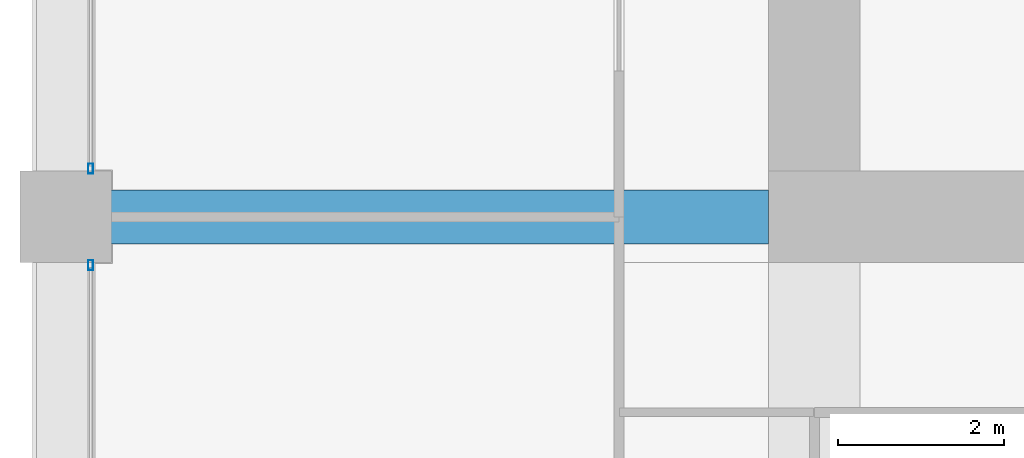
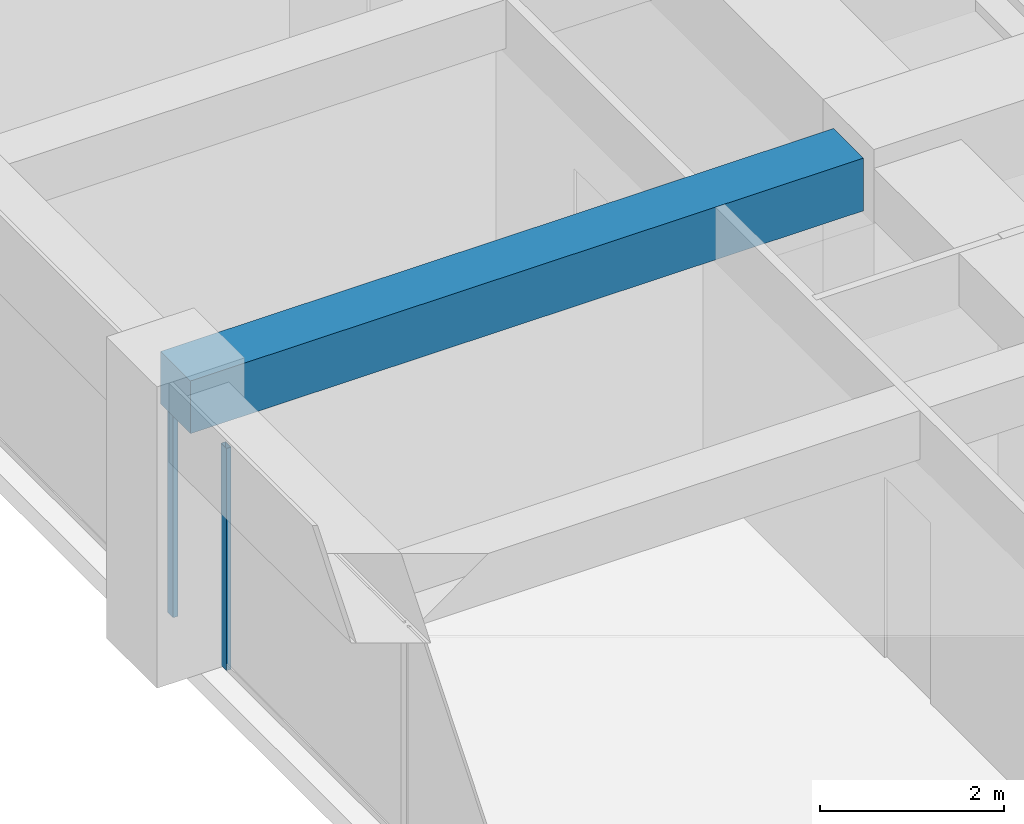
# One storey, part 13 of 45: 2 members, 1 beam, 2 elements without a shape of their own.
"""IFC4 building model written with IfcOpenShell, lengths in metres."""

from ifc_helpers import new_model, si_unit, direction, frame, origin, origin_2d, place, context, subcontext, project, spatial, rectangle, hollow_rectangle, extrude, material, material_profile, profile_set, type_object, element, aggregate, save


model = new_model("IFC4")

# Units and contexts
model_context = context("Model", 3, precision=1e-05, world=origin(), true_north=direction((0.0, 1.0)))
body_context = subcontext(model_context, "Body", "Model", "MODEL_VIEW")
ifc_project = project(units=[si_unit("LENGTHUNIT", "METRE"), si_unit("AREAUNIT", "SQUARE_METRE"), si_unit("VOLUMEUNIT", "CUBIC_METRE"), si_unit("PLANEANGLEUNIT", "RADIAN"), si_unit("MASSUNIT", "GRAM", prefix="KILO")], contexts=[model_context])

# Site, building, storey
site_placement = place(None, origin())
site = spatial("IfcSite", under=ifc_project, at=site_placement, CompositionType="ELEMENT")
building_placement = place(site_placement, origin())
building = spatial("IfcBuilding", under=site, at=building_placement, Name="Zorevar Civic Tower", CompositionType="ELEMENT")
storey_placement = place(building_placement, frame((0.0, 0.0, 303.39990234375)))
storey = spatial("IfcBuildingStorey", under=building, at=storey_placement, Name="L74", CompositionType="ELEMENT", Elevation=303.39990234375)

# Beam
ifc_material_1 = material(Name="Concrete C50/60", Category="concrete")
ifc_material_profile_1 = material_profile(ifc_material_1, rectangle(XDim=0.64990234375, YDim=0.699951171875, at=origin_2d()), Name="RC 650x700")
ifc_profile_set_1 = profile_set([ifc_material_profile_1], Name="Concrete C50/60")
beam_type = type_object("IfcBeamType", Name="Beam RC 650x700", PredefinedType="BEAM", material=ifc_profile_set_1)
beam_placement = place(storey_placement, frame((9.0, 18.0, 3.400146484375), z_axis=(1.0, 0.0, 0.0), x_axis=(0.0, 1.0, 0.0)))
element("IfcBeam", 1, at=beam_placement, inside=storey, type_object=beam_type, Name="Girder L75", PredefinedType="BEAM", context=body_context, shape_type="SweptSolid", body=[
    extrude(rectangle(XDim=0.64990234375, YDim=0.699951171875, at=origin_2d()), origin(), (0.0, 0.0, 1.0), 8.449951171875),
])

# Curtain wall, member
ifc_material_2 = material(Name="Dark grey solar-control glass in black aluminium frame", Category="aluminium")
curtain_wall_type = type_object("IfcCurtainWallType", Name="Curtain wall CW5 top zone", PredefinedType="NOTDEFINED", material=ifc_material_2)
curtain_wall_1_placement = place(storey_placement, origin())
curtain_wall_1 = element("IfcCurtainWall", 2, at=curtain_wall_1_placement, inside=storey, type_object=curtain_wall_type, Name="CW5 L74", PredefinedType="NOTDEFINED")
ifc_material_3 = material(Name="Aluminium, black anodised", Category="aluminium")
ifc_material_profile_2 = material_profile(ifc_material_3, hollow_rectangle(XDim=0.06005859375, YDim=0.1201171875, WallThickness=0.0029296875, at=origin_2d()), Name="AL 120x60x3")
ifc_profile_set_2 = profile_set([ifc_material_profile_2], Name="Aluminium, black anodised")
member_type = type_object("IfcMemberType", Name="CW5 mullion AL 120x60x3", PredefinedType="MULLION", material=ifc_profile_set_2)
member_1_placement = place(storey_placement, frame((9.300048828125, 17.419921875, 0.0), z_axis=(0.0, 0.0, 1.0), x_axis=(-1.0, 0.0, 0.0)))
member_1 = element("IfcMember", 3, at=member_1_placement, type_object=member_type, Name="CW5 mullion 3", PredefinedType="MULLION", context=body_context, shape_type="SweptSolid", body=[
    extrude(hollow_rectangle(XDim=0.06005859375, YDim=0.1201171875, WallThickness=0.0029296875, at=origin_2d()), origin(), (0.0, 0.0, 1.0), 2.9501953125),
])
aggregate(curtain_wall_1, [member_1])

curtain_wall_2_placement = place(storey_placement, origin())
curtain_wall_2 = element("IfcCurtainWall", 4, at=curtain_wall_2_placement, inside=storey, type_object=curtain_wall_type, Name="CW5 L74", PredefinedType="NOTDEFINED")
member_2_placement = place(storey_placement, frame((9.300048828125, 18.580078125, 0.0), z_axis=(0.0, 0.0, 1.0), x_axis=(-1.0, 0.0, 0.0)))
member_2 = element("IfcMember", 5, at=member_2_placement, type_object=member_type, Name="CW5 mullion 1", PredefinedType="MULLION", context=body_context, shape_type="SweptSolid", body=[
    extrude(hollow_rectangle(XDim=0.06005859375, YDim=0.1201171875, WallThickness=0.0029296875, at=origin_2d()), origin(), (0.0, 0.0, 1.0), 2.9501953125),
])
aggregate(curtain_wall_2, [member_2])

save(model, "model.ifc")
